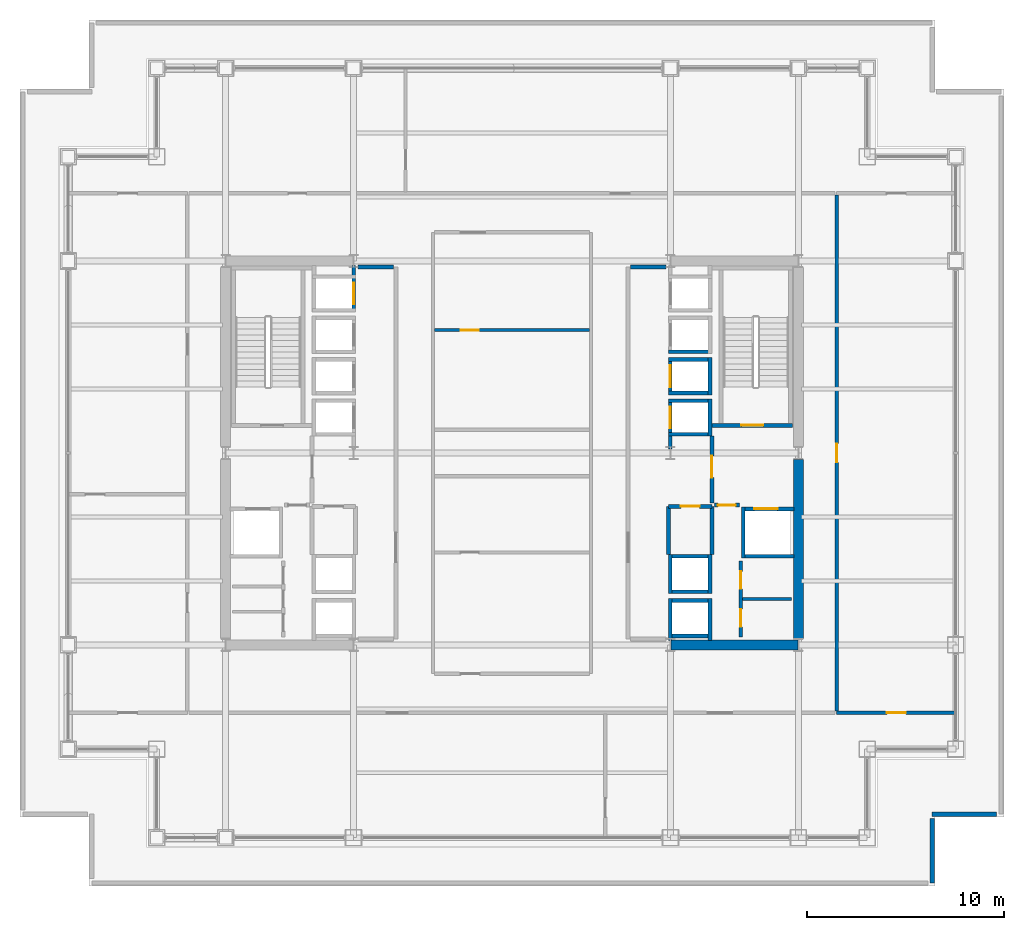
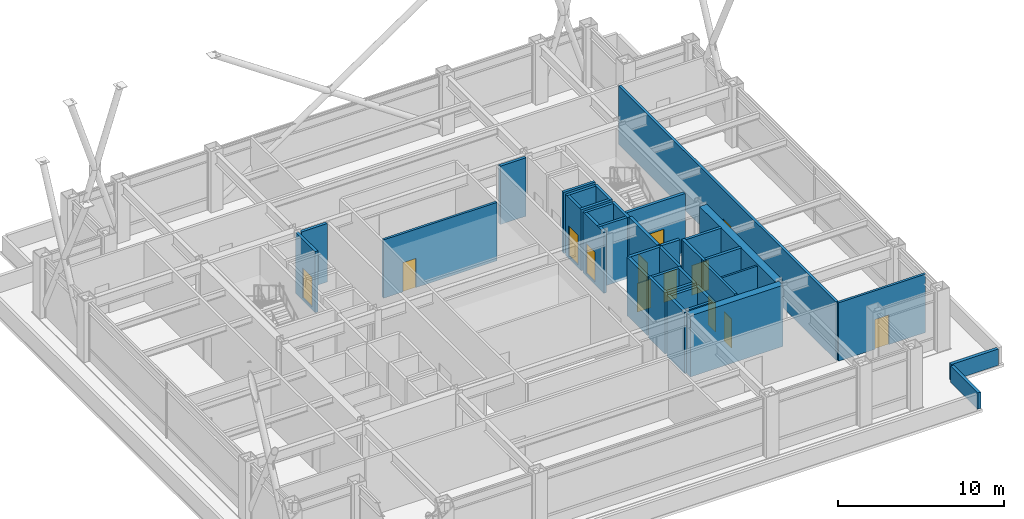
# One storey, part 30 of 32: 38 walls, 13 doors, 13 openings.
"""IFC4 building model written with IfcOpenShell, lengths in metres."""

from ifc_helpers import new_model, si_unit, direction, frame, frame_2d, origin, place, context, subcontext, project, spatial, rectangle, extrude, material, layer, layer_set, type_object, element, fill, save


model = new_model("IFC4")

# Units and contexts
model_context = context("Model", 3, precision=1e-05, world=origin(), true_north=direction((0.0, 1.0)))
body_context = subcontext(model_context, "Body", "Model", "MODEL_VIEW")
ifc_project = project(units=[si_unit("LENGTHUNIT", "METRE"), si_unit("AREAUNIT", "SQUARE_METRE"), si_unit("VOLUMEUNIT", "CUBIC_METRE"), si_unit("PLANEANGLEUNIT", "RADIAN"), si_unit("MASSUNIT", "GRAM", prefix="KILO")], contexts=[model_context])

# Site, building, storey
site_placement = place(None, origin())
site = spatial("IfcSite", under=ifc_project, at=site_placement, CompositionType="ELEMENT")
building_placement = place(site_placement, origin())
building = spatial("IfcBuilding", under=site, at=building_placement, Name="Brelmoor Portico Tower", CompositionType="ELEMENT")
storey_placement = place(building_placement, frame((0.0, 0.0, 87.300048828125)))
storey = spatial("IfcBuildingStorey", under=building, at=storey_placement, Name="L22", CompositionType="ELEMENT", Elevation=87.300048828125)

# Walls
ifc_material_1 = material(Name="Concrete C60", Category="concrete")
ifc_layer_1 = layer(ifc_material_1, 0.5)
ifc_layer_set_1 = layer_set([ifc_layer_1], Name="Concrete C60")
wall_type_1 = type_object("IfcWallType", Name="WL-CORE-500", PredefinedType="SHEAR", material=ifc_layer_set_1)
wall_1_placement = place(storey_placement, frame((8.070068359375, -9.75, -0.199951171875), z_axis=(0.0, 0.0, 1.0), x_axis=(1.0, 0.0, 0.0)))
element("IfcWall", 1, at=wall_1_placement, inside=storey, type_object=wall_type_1, Name="L22 EC South Shear Wall", PredefinedType="SHEAR", context=body_context, shape_type="SweptSolid", body=[
    extrude(rectangle(XDim=6.4599609375, YDim=0.5, at=frame_2d((3.22998046875, 0.0))), origin(), (0.0, 0.0, 1.0), 4.5),
])
wall_2_placement = place(storey_placement, frame((14.550048828125, -9.425048828125, -0.199951171875), z_axis=(0.0, 0.0, 1.0), x_axis=(0.0, 1.0, 0.0)))
element("IfcWall", 2, at=wall_2_placement, inside=storey, type_object=wall_type_1, Name="L22 EC Outer South Shear Wall", PredefinedType="SHEAR", context=body_context, shape_type="SweptSolid", body=[
    extrude(rectangle(XDim=9.10009765625, YDim=0.5, at=frame_2d((4.550048828125, 0.0))), origin(), (0.0, 0.0, 1.0), 4.5),
])
ifc_material_2 = material(Name="Concrete C40 Parapet Upstand", Category="concrete")
ifc_layer_2 = layer(ifc_material_2, 0.219970703125)
ifc_layer_set_2 = layer_set([ifc_layer_2], Name="Concrete C40 Parapet Upstand")
wall_type_2 = type_object("IfcWallType", Name="WL-PARAPET-220", PredefinedType="PARAPET", material=ifc_layer_set_2)
wall_3_placement = place(storey_placement, frame((21.35009765625, -21.85009765625, 0.0), z_axis=(0.0, 0.0, 1.0), x_axis=(0.0, 1.0, 0.0)))
element("IfcWall", 3, at=wall_3_placement, inside=storey, type_object=wall_type_2, Name="L22 Roof Parapet Wall 02", PredefinedType="PARAPET", context=body_context, shape_type="SweptSolid", body=[
    extrude(rectangle(XDim=3.280029296875, YDim=0.219970703125, at=frame_2d((1.64013671875, 0.0))), origin(), (0.0, 0.0, 1.0), 1.199951171875),
])
wall_4_placement = place(storey_placement, frame((21.35009765625, -18.35009765625, 0.0), z_axis=(0.0, 0.0, 1.0), x_axis=(1.0, 0.0, 0.0)))
element("IfcWall", 4, at=wall_4_placement, inside=storey, type_object=wall_type_2, Name="L22 Roof Parapet Wall 03", PredefinedType="PARAPET", context=body_context, shape_type="SweptSolid", body=[
    extrude(rectangle(XDim=3.27978515625, YDim=0.219970703125, at=frame_2d((1.639892578125, 0.0))), origin(), (0.0, 0.0, 1.0), 1.199951171875),
])
ifc_material_3 = material(Name="Insulated Stud Suite Partition", Category="gypsum")
ifc_layer_3 = layer(ifc_material_3, 0.139892578125)
ifc_layer_set_3 = layer_set([ifc_layer_3], Name="Insulated Stud Suite Partition")
wall_type_3 = type_object("IfcWallType", Name="WL-PART-140", PredefinedType="PARTITIONING", material=ifc_layer_set_3)
wall_5_placement = place(storey_placement, frame((11.699951171875, -7.425048828125, 0.0), z_axis=(0.0, 0.0, 1.0), x_axis=(1.0, 0.0, 0.0)))
element("IfcWall", 5, at=wall_5_placement, inside=storey, type_object=wall_type_3, Name="L22 E Core WC Divider 1", PredefinedType="PARTITIONING", context=body_context, shape_type="SweptSolid", body=[
    extrude(rectangle(XDim=2.5, YDim=0.139892578125, at=frame_2d((1.25, 0.0))), origin(), (0.0, 0.0, 1.0), 4.300048828125),
])

# Wall, openings, doors
ifc_material_4 = material(Name="Twin-Frame Acoustic Partition", Category="gypsum")
ifc_layer_4 = layer(ifc_material_4, 0.159912109375)
ifc_layer_set_4 = layer_set([ifc_layer_4], Name="Twin-Frame Acoustic Partition")
wall_type_4 = type_object("IfcWallType", Name="WL-PART-160", PredefinedType="PARTITIONING", material=ifc_layer_set_4)
wall_6_placement = place(storey_placement, frame((11.6201171875, -9.35009765625, 0.0), z_axis=(0.0, 0.0, 1.0), x_axis=(0.0, 1.0, 0.0)))
wall_6 = element("IfcWall", 6, at=wall_6_placement, inside=storey, type_object=wall_type_4, Name="L22 E Core Service Front Wall", PredefinedType="PARTITIONING", context=body_context, shape_type="SweptSolid", body=[
    extrude(rectangle(XDim=3.85009765625, YDim=0.159912109375, at=frame_2d((1.925048828125, 0.0))), origin(), (0.0, 0.0, 1.0), 4.300048828125),
])
opening_1_placement = place(wall_6_placement, frame((0.512451171875, 0.0, 0.0)))
opening_1 = element("IfcOpeningElement", 7, at=opening_1_placement, cuts=wall_6, Name="Opening D-IN1", PredefinedType="OPENING", context=body_context, shape_type="SweptSolid", body=[
    extrude(rectangle(XDim=0.89990234375, YDim=2.14990234375, at=frame_2d((0.449951171875, 1.074951171875))), frame((0.0, 0.08984375, 0.0), z_axis=(0.0, -1.0, 0.0), x_axis=(1.0, 0.0, 0.0)), (0.0, 0.0, 1.0), 0.179931640625),
])
opening_2_placement = place(wall_6_placement, frame((2.4375, 0.0, 0.0)))
opening_2 = element("IfcOpeningElement", 8, at=opening_2_placement, cuts=wall_6, Name="Opening D-IN1", PredefinedType="OPENING", context=body_context, shape_type="SweptSolid", body=[
    extrude(rectangle(XDim=0.89990234375, YDim=2.14990234375, at=frame_2d((0.449951171875, 1.074951171875))), frame((0.0, 0.08984375, 0.0), z_axis=(0.0, -1.0, 0.0), x_axis=(1.0, 0.0, 0.0)), (0.0, 0.0, 1.0), 0.179931640625),
])
ifc_material_5 = material(Name="Lacquered Timber Suite Door", Category="wood")
door_type_1 = type_object("IfcDoorType", Name="DR-INT-900", OperationType="NOTDEFINED", PredefinedType="DOOR", material=ifc_material_5)
door_1_placement = place(opening_1_placement, origin())
door_1 = element("IfcDoor", 9, at=door_1_placement, inside=storey, type_object=door_type_1, Name="D-0977 L22 E Male WC Door", OperationType="SINGLE_SWING_RIGHT", OverallHeight=2.14990234375, OverallWidth=0.89990234375, PredefinedType="DOOR", context=body_context, shape_type="SweptSolid", body=[
    extrude(rectangle(XDim=0.89990234375, YDim=2.14990234375, at=frame_2d((0.449951171875, 1.074951171875))), frame((0.0, 0.02490234375, 0.0), z_axis=(0.0, -1.0, 0.0), x_axis=(1.0, 0.0, 0.0)), (0.0, 0.0, 1.0), 0.050048828125),
])
fill(opening_1, door_1)
door_2_placement = place(opening_2_placement, origin())
door_2 = element("IfcDoor", 10, at=door_2_placement, inside=storey, type_object=door_type_1, Name="D-0978 L22 E Female WC Door", OperationType="SINGLE_SWING_LEFT", OverallHeight=2.14990234375, OverallWidth=0.89990234375, PredefinedType="DOOR", context=body_context, shape_type="SweptSolid", body=[
    extrude(rectangle(XDim=0.89990234375, YDim=2.14990234375, at=frame_2d((0.449951171875, 1.074951171875))), frame((0.0, 0.02490234375, 0.0), z_axis=(0.0, -1.0, 0.0), x_axis=(1.0, 0.0, 0.0)), (0.0, 0.0, 1.0), 0.050048828125),
])
fill(opening_2, door_2)

# Wall, opening, door
wall_7_placement = place(storey_placement, frame((-3.949951171875, 6.239990234375, 0.0), z_axis=(0.0, 0.0, 1.0), x_axis=(1.0, 0.0, 0.0)))
wall_7 = element("IfcWall", 11, at=wall_7_placement, inside=storey, type_object=wall_type_4, Name="L22 Central Archive Divider", PredefinedType="PARTITIONING", context=body_context, shape_type="SweptSolid", body=[
    extrude(rectangle(XDim=7.89990234375, YDim=0.159912109375, at=frame_2d((3.949951171875, 0.0))), origin(), (0.0, 0.0, 1.0), 4.300048828125),
])
opening_3_placement = place(wall_7_placement, frame((1.35009765625, 0.0, 0.0)))
opening_3 = element("IfcOpeningElement", 12, at=opening_3_placement, cuts=wall_7, Name="Opening D-IN1", PredefinedType="OPENING", context=body_context, shape_type="SweptSolid", body=[
    extrude(rectangle(XDim=0.89990234375, YDim=2.14990234375, at=frame_2d((0.449951171875, 1.074951171875))), frame((0.0, 0.08984375, 0.0), z_axis=(0.0, -1.0, 0.0), x_axis=(1.0, 0.0, 0.0)), (0.0, 0.0, 1.0), 0.179931640625),
])
door_3_placement = place(opening_3_placement, origin())
door_3 = element("IfcDoor", 13, at=door_3_placement, inside=storey, type_object=door_type_1, Name="D-0974 L22 Central File Room Door", OperationType="SINGLE_SWING_RIGHT", OverallHeight=2.14990234375, OverallWidth=0.89990234375, PredefinedType="DOOR", context=body_context, shape_type="SweptSolid", body=[
    extrude(rectangle(XDim=0.89990234375, YDim=2.14990234375, at=frame_2d((0.449951171875, 1.074951171875))), frame((0.0, 0.02490234375, 0.0), z_axis=(0.0, -1.0, 0.0), x_axis=(1.0, 0.0, 0.0)), (0.0, 0.0, 1.0), 0.050048828125),
])
fill(opening_3, door_3)

wall_8_placement = place(storey_placement, frame((16.5, -13.199951171875, 0.0), z_axis=(0.0, 0.0, 1.0), x_axis=(1.0, 0.0, 0.0)))
wall_8 = element("IfcWall", 14, at=wall_8_placement, inside=storey, type_object=wall_type_4, Name="L22 South Outer Closure ER", PredefinedType="PARTITIONING", context=body_context, shape_type="SweptSolid", body=[
    extrude(rectangle(XDim=6.06005859375, YDim=0.159912109375, at=frame_2d((3.030029296875, 0.0))), origin(), (0.0, 0.0, 1.0), 4.300048828125),
])
opening_4_placement = place(wall_8_placement, frame((2.550048828125, 0.0, 0.0)))
opening_4 = element("IfcOpeningElement", 15, at=opening_4_placement, cuts=wall_8, Name="Opening D-IN2", PredefinedType="OPENING", context=body_context, shape_type="SweptSolid", body=[
    extrude(rectangle(XDim=0.9599609375, YDim=2.179931640625, at=frame_2d((0.47998046875, 1.08984375))), frame((0.0, 0.08984375, 0.0), z_axis=(0.0, -1.0, 0.0), x_axis=(1.0, 0.0, 0.0)), (0.0, 0.0, 1.0), 0.179931640625),
])
door_type_2 = type_object("IfcDoorType", Name="DR-INT-950", OperationType="NOTDEFINED", PredefinedType="DOOR", material=ifc_material_5)
door_4_placement = place(opening_4_placement, origin())
door_4 = element("IfcDoor", 16, at=door_4_placement, inside=storey, type_object=door_type_2, Name="D-1000 L22 ER South Corner Suite Door", OperationType="SINGLE_SWING_LEFT", OverallHeight=2.179931640625, OverallWidth=0.9599609375, PredefinedType="DOOR", context=body_context, shape_type="SweptSolid", body=[
    extrude(rectangle(XDim=0.9599609375, YDim=2.179931640625, at=frame_2d((0.47998046875, 1.08984375))), frame((0.0, 0.02490234375, 0.0), z_axis=(0.0, -1.0, 0.0), x_axis=(1.0, 0.0, 0.0)), (0.0, 0.0, 1.0), 0.050048828125),
])
fill(opening_4, door_4)

ifc_material_6 = material(Name="Acoustic Corridor Fire Partition", Category="gypsum")
ifc_layer_5 = layer(ifc_material_6, 0.179931640625)
ifc_layer_set_5 = layer_set([ifc_layer_5], Name="Acoustic Corridor Fire Partition")
wall_type_5 = type_object("IfcWallType", Name="WL-PART-180", PredefinedType="PARTITIONING", material=ifc_layer_set_5)
wall_9_placement = place(storey_placement, frame((16.5, -13.1201171875, 0.0), z_axis=(0.0, 0.0, 1.0), x_axis=(0.0, 1.0, 0.0)))
wall_9 = element("IfcWall", 17, at=wall_9_placement, inside=storey, type_object=wall_type_5, Name="L22 E Wing Corridor Wall", PredefinedType="PARTITIONING", context=body_context, shape_type="SweptSolid", body=[
    extrude(rectangle(XDim=26.240234375, YDim=0.179931640625, at=frame_2d((13.1201171875, 0.0))), origin(), (0.0, 0.0, 1.0), 4.300048828125),
])
opening_5_placement = place(wall_9_placement, frame((12.639892578125, 0.0, 0.0)))
opening_5 = element("IfcOpeningElement", 18, at=opening_5_placement, cuts=wall_9, Name="Opening D-IN2", PredefinedType="OPENING", context=body_context, shape_type="SweptSolid", body=[
    extrude(rectangle(XDim=0.9599609375, YDim=2.179931640625, at=frame_2d((0.47998046875, 1.08984375))), frame((0.0, 0.099853515625, 0.0), z_axis=(0.0, -1.0, 0.0), x_axis=(1.0, 0.0, 0.0)), (0.0, 0.0, 1.0), 0.199951171875),
])
door_5_placement = place(opening_5_placement, origin())
door_5 = element("IfcDoor", 19, at=door_5_placement, inside=storey, type_object=door_type_2, Name="D-1002 L22 E Concierge Consultation Suite 1 Door", OperationType="SINGLE_SWING_LEFT", OverallHeight=2.179931640625, OverallWidth=0.9599609375, PredefinedType="DOOR", context=body_context, shape_type="SweptSolid", body=[
    extrude(rectangle(XDim=0.9599609375, YDim=2.179931640625, at=frame_2d((0.47998046875, 1.08984375))), frame((0.0, 0.02490234375, 0.0), z_axis=(0.0, -1.0, 0.0), x_axis=(1.0, 0.0, 0.0)), (0.0, 0.0, 1.0), 0.050048828125),
])
fill(opening_5, door_5)

# Walls
ifc_material_7 = material(Name="Double-Stud Gypsum Fire Partition", Category="gypsum")
ifc_layer_6 = layer(ifc_material_7, 0.199951171875)
ifc_layer_set_6 = layer_set([ifc_layer_6], Name="Double-Stud Gypsum Fire Partition")
wall_type_6 = type_object("IfcWallType", Name="WL-PART-200", PredefinedType="PARTITIONING", material=ifc_layer_set_6)
for number, where, z_axis, x_axis, name in (
    (20, (-6.02001953125, 9.449951171875, 0.0), (0.0, 0.0, 1.0), (-1.0, 0.0, 0.0), "L22 W Lift Lobby North End Wall"),
    (21, (6.02001953125, 9.449951171875, 0.0), (0.0, 0.0, 1.0), (1.0, 0.0, 0.0), "L22 E Lift Lobby North End Wall"),
):
    element("IfcWall", number, at=place(storey_placement, frame(where, z_axis=z_axis, x_axis=x_axis)), inside=storey, type_object=wall_type_6, Name=name, PredefinedType="PARTITIONING", context=body_context, shape_type="SweptSolid", body=[
        extrude(rectangle(XDim=1.800048828125, YDim=0.199951171875, at=frame_2d((0.89990234375, 0.0))), origin(), (0.0, 0.0, 1.0), 4.300048828125),
    ])

# Wall, opening, door
wall_10_placement = place(storey_placement, frame((10.159912109375, -2.550048828125, 0.0), z_axis=(0.0, 0.0, 1.0), x_axis=(0.0, 1.0, 0.0)))
wall_10 = element("IfcWall", 22, at=wall_10_placement, inside=storey, type_object=wall_type_6, Name="L22 E Firefighting Lobby Wall", PredefinedType="PARTITIONING", context=body_context, shape_type="SweptSolid", body=[
    extrude(rectangle(XDim=3.400146484375, YDim=0.199951171875, at=frame_2d((1.7001953125, 0.0))), origin(), (0.0, 0.0, 1.0), 4.300048828125),
])
opening_6_placement = place(wall_10_placement, frame((1.300048828125, 0.0, 0.0)))
opening_6 = element("IfcOpeningElement", 23, at=opening_6_placement, cuts=wall_10, Name="Opening D-FR1", PredefinedType="OPENING", context=body_context, shape_type="SweptSolid", body=[
    extrude(rectangle(XDim=1.10009765625, YDim=2.14990234375, at=frame_2d((0.550048828125, 1.074951171875))), frame((0.0, 0.10986328125, 0.0), z_axis=(0.0, -1.0, 0.0), x_axis=(1.0, 0.0, 0.0)), (0.0, 0.0, 1.0), 0.219970703125),
])
ifc_material_8 = material(Name="Painted Galvanised Steel Fire Door", Category="steel")
door_type_3 = type_object("IfcDoorType", Name="DR-FIRE-1100", OperationType="NOTDEFINED", PredefinedType="DOOR", material=ifc_material_8)
door_6_placement = place(opening_6_placement, origin())
door_6 = element("IfcDoor", 24, at=door_6_placement, inside=storey, type_object=door_type_3, Name="D-0986 L22 E Firefighting Lobby Door", OperationType="SINGLE_SWING_LEFT", OverallHeight=2.14990234375, OverallWidth=1.10009765625, PredefinedType="DOOR", context=body_context, shape_type="SweptSolid", body=[
    extrude(rectangle(XDim=1.10009765625, YDim=2.14990234375, at=frame_2d((0.550048828125, 1.074951171875))), frame((0.0, 0.02490234375, 0.0), z_axis=(0.0, -1.0, 0.0), x_axis=(1.0, 0.0, 0.0)), (0.0, 0.0, 1.0), 0.050048828125),
])
fill(opening_6, door_6)

wall_11_placement = place(storey_placement, frame((10.280029296875, -2.64990234375, 0.0), z_axis=(0.0, 0.0, 1.0), x_axis=(1.0, 0.0, 0.0)))
wall_11 = element("IfcWall", 25, at=wall_11_placement, inside=storey, type_object=wall_type_6, Name="L22 E Firefighting Lobby South Wall", PredefinedType="PARTITIONING", context=body_context, shape_type="SweptSolid", body=[
    extrude(rectangle(XDim=1.27001953125, YDim=0.199951171875, at=frame_2d((0.635009765625, 0.0))), origin(), (0.0, 0.0, 1.0), 4.300048828125),
])
opening_7_placement = place(wall_11_placement, frame((0.18505859375, 0.0, 0.0)))
opening_7 = element("IfcOpeningElement", 26, at=opening_7_placement, cuts=wall_11, Name="Opening D-IN1", PredefinedType="OPENING", context=body_context, shape_type="SweptSolid", body=[
    extrude(rectangle(XDim=0.89990234375, YDim=2.14990234375, at=frame_2d((0.449951171875, 1.074951171875))), frame((0.0, 0.10986328125, 0.0), z_axis=(0.0, -1.0, 0.0), x_axis=(1.0, 0.0, 0.0)), (0.0, 0.0, 1.0), 0.219970703125),
])
door_7_placement = place(opening_7_placement, origin())
door_7 = element("IfcDoor", 27, at=door_7_placement, inside=storey, type_object=door_type_1, Name="D-0979 L22 E Core Service Vestibule Door", OperationType="SINGLE_SWING_RIGHT", OverallHeight=2.14990234375, OverallWidth=0.89990234375, PredefinedType="DOOR", context=body_context, shape_type="SweptSolid", body=[
    extrude(rectangle(XDim=0.89990234375, YDim=2.14990234375, at=frame_2d((0.449951171875, 1.074951171875))), frame((0.0, 0.02490234375, 0.0), z_axis=(0.0, -1.0, 0.0), x_axis=(1.0, 0.0, 0.0)), (0.0, 0.0, 1.0), 0.050048828125),
])
fill(opening_7, door_7)

wall_12_placement = place(storey_placement, frame((7.9599609375, -2.719970703125, 0.0), z_axis=(0.0, 0.0, 1.0), x_axis=(1.0, 0.0, 0.0)))
wall_12 = element("IfcWall", 28, at=wall_12_placement, inside=storey, type_object=wall_type_6, Name="L22 E Electrical Switchgear Closet Wall", PredefinedType="PARTITIONING", context=body_context, shape_type="SweptSolid", body=[
    extrude(rectangle(XDim=2.199951171875, YDim=0.199951171875, at=frame_2d((1.10009765625, 0.0))), origin(), (0.0, 0.0, 1.0), 4.300048828125),
])
opening_8_placement = place(wall_12_placement, frame((0.6201171875, 0.0, 0.0)))
opening_8 = element("IfcOpeningElement", 29, at=opening_8_placement, cuts=wall_12, Name="Opening D-FR4", PredefinedType="OPENING", context=body_context, shape_type="SweptSolid", body=[
    extrude(rectangle(XDim=0.949951171875, YDim=2.10009765625, at=frame_2d((0.47509765625, 1.050048828125))), frame((0.0, 0.10986328125, 0.0), z_axis=(0.0, -1.0, 0.0), x_axis=(1.0, 0.0, 0.0)), (0.0, 0.0, 1.0), 0.219970703125),
])
ifc_material_9 = material(Name="Painted Galvanised Steel Riser Door", Category="steel")
door_type_4 = type_object("IfcDoorType", Name="DR-FIRE-950", OperationType="NOTDEFINED", PredefinedType="DOOR", material=ifc_material_9)
door_8_placement = place(opening_8_placement, origin())
door_8 = element("IfcDoor", 30, at=door_8_placement, inside=storey, type_object=door_type_4, Name="D-0984 L22 E Electrical Switchgear Closet Door", OperationType="SINGLE_SWING_LEFT", OverallHeight=2.10009765625, OverallWidth=0.949951171875, PredefinedType="DOOR", context=body_context, shape_type="SweptSolid", body=[
    extrude(rectangle(XDim=0.949951171875, YDim=2.10009765625, at=frame_2d((0.47509765625, 1.050048828125))), frame((0.0, 0.02490234375, 0.0), z_axis=(0.0, -1.0, 0.0), x_axis=(1.0, 0.0, 0.0)), (0.0, 0.0, 1.0), 0.050048828125),
])
fill(opening_8, door_8)

# Walls
for number, where, z_axis, x_axis, name in (
    (31, (7.9599609375, -5.159912109375, 0.0), (0.0, 0.0, 1.0), (0.0, 1.0, 0.0), "L22 E Electrical Switchgear Closet Inner Wall"),
    (32, (10.159912109375, -5.159912109375, 0.0), (0.0, 0.0, 1.0), (0.0, 1.0, 0.0), "L22 E Electrical Switchgear Closet Outer Wall"),
):
    element("IfcWall", number, at=place(storey_placement, frame(where, z_axis=z_axis, x_axis=x_axis)), inside=storey, type_object=wall_type_6, Name=name, PredefinedType="PARTITIONING", context=body_context, shape_type="SweptSolid", body=[
        extrude(rectangle(XDim=2.43994140625, YDim=0.199951171875, at=frame_2d((1.219970703125, 0.0))), origin(), (0.0, 0.0, 1.0), 4.300048828125),
    ])

# Wall, opening, door
ifc_material_10 = material(Name="Precast Concrete C40", Category="concrete")
ifc_layer_7 = layer(ifc_material_10, 0.18994140625)
ifc_layer_set_7 = layer_set([ifc_layer_7], Name="Precast Concrete C40")
wall_type_7 = type_object("IfcWallType", Name="WL-SHAFT-180", PredefinedType="SOLIDWALL", material=ifc_layer_set_7)
wall_13_placement = place(storey_placement, frame((-8.044921875, 7.14990234375, -0.199951171875), z_axis=(0.0, 0.0, 1.0), x_axis=(0.0, 1.0, 0.0)))
wall_13 = element("IfcWall", 33, at=wall_13_placement, inside=storey, type_object=wall_type_7, Name="L22 Lift PL4 Hoistway Front Wall", PredefinedType="SOLIDWALL", context=body_context, shape_type="SweptSolid", body=[
    extrude(rectangle(XDim=2.3701171875, YDim=0.18994140625, at=frame_2d((1.18505859375, 0.0))), origin(), (0.0, 0.0, 1.0), 4.5),
])
opening_9_placement = place(wall_13_placement, frame((0.39990234375, 0.0, 0.199951171875)))
opening_9 = element("IfcOpeningElement", 34, at=opening_9_placement, cuts=wall_13, Name="Opening LD-01", PredefinedType="OPENING", context=body_context, shape_type="SweptSolid", body=[
    extrude(rectangle(XDim=1.10009765625, YDim=2.199951171875, at=frame_2d((0.550048828125, 1.10009765625))), frame((0.0, 0.10498046875, 0.0), z_axis=(0.0, -1.0, 0.0), x_axis=(1.0, 0.0, 0.0)), (0.0, 0.0, 1.0), 0.2099609375),
])
ifc_material_11 = material(Name="Brushed Stainless Steel Sliding Lift Door", Category="steel")
door_type_5 = type_object("IfcDoorType", Name="DR-LIFT-1100", OperationType="NOTDEFINED", PredefinedType="DOOR", material=ifc_material_11)
door_9_placement = place(opening_9_placement, origin())
door_9 = element("IfcDoor", 35, at=door_9_placement, inside=storey, type_object=door_type_5, Name="D-1011 L22 Lift PL4 Sliding Landing Door", OperationType="SLIDING_TO_LEFT", OverallHeight=2.199951171875, OverallWidth=1.10009765625, PredefinedType="DOOR", context=body_context, shape_type="SweptSolid", body=[
    extrude(rectangle(XDim=1.10009765625, YDim=2.199951171875, at=frame_2d((0.550048828125, 1.10009765625))), frame((0.0, 0.02490234375, 0.0), z_axis=(0.0, -1.0, 0.0), x_axis=(1.0, 0.0, 0.0)), (0.0, 0.0, 1.0), 0.050048828125),
])
fill(opening_9, door_9)

wall_14_placement = place(storey_placement, frame((8.044921875, 0.2099609375, -0.199951171875), z_axis=(0.0, 0.0, 1.0), x_axis=(0.0, 1.0, 0.0)))
wall_14 = element("IfcWall", 36, at=wall_14_placement, inside=storey, type_object=wall_type_7, Name="L22 Lift PM1 Hoistway Front Wall", PredefinedType="SOLIDWALL", context=body_context, shape_type="SweptSolid", body=[
    extrude(rectangle(XDim=2.5400390625, YDim=0.18994140625, at=frame_2d((1.27001953125, 0.0))), origin(), (0.0, 0.0, 1.0), 4.5),
])
opening_10_placement = place(wall_14_placement, frame((1.0400390625, 0.0, 0.199951171875)))
opening_10 = element("IfcOpeningElement", 37, at=opening_10_placement, cuts=wall_14, Name="Opening LD-01", PredefinedType="OPENING", context=body_context, shape_type="SweptSolid", body=[
    extrude(rectangle(XDim=1.10009765625, YDim=2.199951171875, at=frame_2d((0.550048828125, 1.10009765625))), frame((0.0, 0.10498046875, 0.0), z_axis=(0.0, -1.0, 0.0), x_axis=(1.0, 0.0, 0.0)), (0.0, 0.0, 1.0), 0.2099609375),
])
door_10_placement = place(opening_10_placement, origin())
door_10 = element("IfcDoor", 38, at=door_10_placement, inside=storey, type_object=door_type_5, Name="D-1012 L22 Lift PM1 Sliding Landing Door", OperationType="SLIDING_TO_LEFT", OverallHeight=2.199951171875, OverallWidth=1.10009765625, PredefinedType="DOOR", context=body_context, shape_type="SweptSolid", body=[
    extrude(rectangle(XDim=1.10009765625, YDim=2.199951171875, at=frame_2d((0.550048828125, 1.10009765625))), frame((0.0, 0.02490234375, 0.0), z_axis=(0.0, -1.0, 0.0), x_axis=(1.0, 0.0, 0.0)), (0.0, 0.0, 1.0), 0.050048828125),
])
fill(opening_10, door_10)

# Walls
wall_15_placement = place(storey_placement, frame((10.054931640625, 0.85009765625, -0.199951171875), z_axis=(0.0, 0.0, 1.0), x_axis=(0.0, 1.0, 0.0)))
element("IfcWall", 39, at=wall_15_placement, inside=storey, type_object=wall_type_7, Name="L22 Lift PM1 Hoistway Back Wall", PredefinedType="SOLIDWALL", context=body_context, shape_type="SweptSolid", body=[
    extrude(rectangle(XDim=1.89990234375, YDim=0.18994140625, at=frame_2d((0.949951171875, 0.0))), origin(), (0.0, 0.0, 1.0), 4.5),
])
for number, where, z_axis, x_axis, name in (
    (40, (7.949951171875, 2.655029296875, -0.199951171875), (0.0, 0.0, 1.0), (1.0, 0.0, 0.0), "L22 Lift PM1 Hoistway North Wall"),
    (41, (7.949951171875, 0.945068359375, -0.199951171875), (0.0, 0.0, 1.0), (1.0, 0.0, 0.0), "L22 Lift PM1 Hoistway South Wall"),
):
    element("IfcWall", number, at=place(storey_placement, frame(where, z_axis=z_axis, x_axis=x_axis)), inside=storey, type_object=wall_type_7, Name=name, PredefinedType="SOLIDWALL", context=body_context, shape_type="SweptSolid", body=[
        extrude(rectangle(XDim=2.199951171875, YDim=0.18994140625, at=frame_2d((1.10009765625, 0.0))), origin(), (0.0, 0.0, 1.0), 4.5),
    ])

# Wall, opening, door
wall_16_placement = place(storey_placement, frame((8.044921875, 2.949951171875, -0.199951171875), z_axis=(0.0, 0.0, 1.0), x_axis=(0.0, 1.0, 0.0)))
wall_16 = element("IfcWall", 42, at=wall_16_placement, inside=storey, type_object=wall_type_7, Name="L22 Lift PM2 Hoistway Front Wall", PredefinedType="SOLIDWALL", context=body_context, shape_type="SweptSolid", body=[
    extrude(rectangle(XDim=1.900146484375, YDim=0.18994140625, at=frame_2d((0.9501953125, 0.0))), origin(), (0.0, 0.0, 1.0), 4.5),
])
opening_11_placement = place(wall_16_placement, frame((0.39990234375, 0.0, 0.199951171875)))
opening_11 = element("IfcOpeningElement", 43, at=opening_11_placement, cuts=wall_16, Name="Opening LD-01", PredefinedType="OPENING", context=body_context, shape_type="SweptSolid", body=[
    extrude(rectangle(XDim=1.10009765625, YDim=2.199951171875, at=frame_2d((0.550048828125, 1.10009765625))), frame((0.0, 0.10498046875, 0.0), z_axis=(0.0, -1.0, 0.0), x_axis=(1.0, 0.0, 0.0)), (0.0, 0.0, 1.0), 0.2099609375),
])
door_11_placement = place(opening_11_placement, origin())
door_11 = element("IfcDoor", 44, at=door_11_placement, inside=storey, type_object=door_type_5, Name="D-1013 L22 Lift PM2 Sliding Landing Door", OperationType="SLIDING_TO_LEFT", OverallHeight=2.199951171875, OverallWidth=1.10009765625, PredefinedType="DOOR", context=body_context, shape_type="SweptSolid", body=[
    extrude(rectangle(XDim=1.10009765625, YDim=2.199951171875, at=frame_2d((0.550048828125, 1.10009765625))), frame((0.0, 0.02490234375, 0.0), z_axis=(0.0, -1.0, 0.0), x_axis=(1.0, 0.0, 0.0)), (0.0, 0.0, 1.0), 0.050048828125),
])
fill(opening_11, door_11)

# Walls
wall_17_placement = place(storey_placement, frame((10.054931640625, 2.949951171875, -0.199951171875), z_axis=(0.0, 0.0, 1.0), x_axis=(0.0, 1.0, 0.0)))
element("IfcWall", 45, at=wall_17_placement, inside=storey, type_object=wall_type_7, Name="L22 Lift PM2 Hoistway Back Wall", PredefinedType="SOLIDWALL", context=body_context, shape_type="SweptSolid", body=[
    extrude(rectangle(XDim=1.900146484375, YDim=0.18994140625, at=frame_2d((0.9501953125, 0.0))), origin(), (0.0, 0.0, 1.0), 4.5),
])
for number, where, z_axis, x_axis, name in (
    (46, (7.949951171875, 4.7548828125, -0.199951171875), (0.0, 0.0, 1.0), (1.0, 0.0, 0.0), "L22 Lift PM2 Hoistway North Wall"),
    (47, (7.949951171875, 3.044921875, -0.199951171875), (0.0, 0.0, 1.0), (1.0, 0.0, 0.0), "L22 Lift PM2 Hoistway South Wall"),
    (48, (7.949951171875, 5.14501953125, -0.199951171875), (0.0, 0.0, 1.0), (1.0, 0.0, 0.0), "L22 Lift PM3 Hoistway South Wall"),
):
    element("IfcWall", number, at=place(storey_placement, frame(where, z_axis=z_axis, x_axis=x_axis)), inside=storey, type_object=wall_type_7, Name=name, PredefinedType="SOLIDWALL", context=body_context, shape_type="SweptSolid", body=[
        extrude(rectangle(XDim=2.199951171875, YDim=0.18994140625, at=frame_2d((1.10009765625, 0.0))), origin(), (0.0, 0.0, 1.0), 4.5),
    ])
for number, where, z_axis, x_axis, name in (
    (49, (8.044921875, -9.52001953125, -0.199951171875), (0.0, 0.0, 1.0), (0.0, 1.0, 0.0), "L22 Lift PH3 Hoistway Front Wall"),
    (50, (10.054931640625, -9.52001953125, -0.199951171875), (0.0, 0.0, 1.0), (0.0, 1.0, 0.0), "L22 Lift PH3 Hoistway Back Wall"),
):
    element("IfcWall", number, at=place(storey_placement, frame(where, z_axis=z_axis, x_axis=x_axis)), inside=storey, type_object=wall_type_7, Name=name, PredefinedType="SOLIDWALL", context=body_context, shape_type="SweptSolid", body=[
        extrude(rectangle(XDim=2.1201171875, YDim=0.18994140625, at=frame_2d((1.06005859375, 0.0))), origin(), (0.0, 0.0, 1.0), 4.5),
    ])
for number, where, z_axis, x_axis, name in (
    (51, (7.949951171875, -7.4951171875, -0.199951171875), (0.0, 0.0, 1.0), (1.0, 0.0, 0.0), "L22 Lift PH3 Hoistway North Wall"),
    (52, (7.949951171875, -9.304931640625, -0.199951171875), (0.0, 0.0, 1.0), (1.0, 0.0, 0.0), "L22 Lift PH3 Hoistway South Wall"),
):
    element("IfcWall", number, at=place(storey_placement, frame(where, z_axis=z_axis, x_axis=x_axis)), inside=storey, type_object=wall_type_7, Name=name, PredefinedType="SOLIDWALL", context=body_context, shape_type="SweptSolid", body=[
        extrude(rectangle(XDim=2.199951171875, YDim=0.18994140625, at=frame_2d((1.10009765625, 0.0))), origin(), (0.0, 0.0, 1.0), 4.5),
    ])
for number, where, z_axis, x_axis, name in (
    (53, (8.044921875, -7.14990234375, -0.199951171875), (0.0, 0.0, 1.0), (0.0, 1.0, 0.0), "L22 Lift PH4 Hoistway Front Wall"),
    (54, (10.054931640625, -7.14990234375, -0.199951171875), (0.0, 0.0, 1.0), (0.0, 1.0, 0.0), "L22 Lift PH4 Hoistway Back Wall"),
):
    element("IfcWall", number, at=place(storey_placement, frame(where, z_axis=z_axis, x_axis=x_axis)), inside=storey, type_object=wall_type_7, Name=name, PredefinedType="SOLIDWALL", context=body_context, shape_type="SweptSolid", body=[
        extrude(rectangle(XDim=2.0, YDim=0.18994140625, at=frame_2d((1.0, 0.0))), origin(), (0.0, 0.0, 1.0), 4.5),
    ])
for number, where, z_axis, x_axis, name in (
    (55, (7.949951171875, -5.2451171875, -0.199951171875), (0.0, 0.0, 1.0), (1.0, 0.0, 0.0), "L22 Lift PH4 Hoistway North Wall"),
    (56, (7.949951171875, -7.054931640625, -0.199951171875), (0.0, 0.0, 1.0), (1.0, 0.0, 0.0), "L22 Lift PH4 Hoistway South Wall"),
):
    element("IfcWall", number, at=place(storey_placement, frame(where, z_axis=z_axis, x_axis=x_axis)), inside=storey, type_object=wall_type_7, Name=name, PredefinedType="SOLIDWALL", context=body_context, shape_type="SweptSolid", body=[
        extrude(rectangle(XDim=2.199951171875, YDim=0.18994140625, at=frame_2d((1.10009765625, 0.0))), origin(), (0.0, 0.0, 1.0), 4.5),
    ])

# Wall, opening, door
wall_18_placement = place(storey_placement, frame((11.64990234375, -2.844970703125, -0.199951171875), z_axis=(0.0, 0.0, 1.0), x_axis=(1.0, 0.0, 0.0)))
wall_18 = element("IfcWall", 57, at=wall_18_placement, inside=storey, type_object=wall_type_7, Name="L22 Lift FF2 Hoistway Front Wall", PredefinedType="SOLIDWALL", context=body_context, shape_type="SweptSolid", body=[
    extrude(rectangle(XDim=2.68017578125, YDim=0.18994140625, at=frame_2d((1.340087890625, 0.0))), origin(), (0.0, 0.0, 1.0), 4.5),
])
opening_12_placement = place(wall_18_placement, frame((0.64990234375, 0.0, 0.199951171875)))
opening_12 = element("IfcOpeningElement", 58, at=opening_12_placement, cuts=wall_18, Name="Opening LD-02", PredefinedType="OPENING", context=body_context, shape_type="SweptSolid", body=[
    extrude(rectangle(XDim=1.199951171875, YDim=2.199951171875, at=frame_2d((0.60009765625, 1.10009765625))), frame((0.0, 0.10498046875, 0.0), z_axis=(0.0, -1.0, 0.0), x_axis=(1.0, 0.0, 0.0)), (0.0, 0.0, 1.0), 0.2099609375),
])
ifc_material_12 = material(Name="Brushed Stainless Steel Firefighting Lift Door", Category="steel")
door_type_6 = type_object("IfcDoorType", Name="DR-LIFT-1200", OperationType="NOTDEFINED", PredefinedType="DOOR", material=ifc_material_12)
door_12_placement = place(opening_12_placement, origin())
door_12 = element("IfcDoor", 59, at=door_12_placement, inside=storey, type_object=door_type_6, Name="D-1007 L22 Lift FF2 Sliding Landing Door", OperationType="SLIDING_TO_LEFT", OverallHeight=2.199951171875, OverallWidth=1.199951171875, PredefinedType="DOOR", context=body_context, shape_type="SweptSolid", body=[
    extrude(rectangle(XDim=1.199951171875, YDim=2.199951171875, at=frame_2d((0.60009765625, 1.10009765625))), frame((0.0, 0.02490234375, 0.0), z_axis=(0.0, -1.0, 0.0), x_axis=(1.0, 0.0, 0.0)), (0.0, 0.0, 1.0), 0.050048828125),
])
fill(opening_12, door_12)

# Walls
wall_19_placement = place(storey_placement, frame((11.64990234375, -5.2548828125, -0.199951171875), z_axis=(0.0, 0.0, 1.0), x_axis=(1.0, 0.0, 0.0)))
element("IfcWall", 60, at=wall_19_placement, inside=storey, type_object=wall_type_7, Name="L22 Firefighting Lift FF2 South Wall", PredefinedType="SOLIDWALL", context=body_context, shape_type="SweptSolid", body=[
    extrude(rectangle(XDim=2.68017578125, YDim=0.18994140625, at=frame_2d((1.340087890625, 0.0))), origin(), (0.0, 0.0, 1.0), 4.5),
])
wall_20_placement = place(storey_placement, frame((11.7451171875, -5.35009765625, -0.199951171875), z_axis=(0.0, 0.0, 1.0), x_axis=(0.0, 1.0, 0.0)))
element("IfcWall", 61, at=wall_20_placement, inside=storey, type_object=wall_type_7, Name="L22 Firefighting Lift FF2 Inner Wall", PredefinedType="SOLIDWALL", context=body_context, shape_type="SweptSolid", body=[
    extrude(rectangle(XDim=2.60009765625, YDim=0.18994140625, at=frame_2d((1.300048828125, 0.0))), origin(), (0.0, 0.0, 1.0), 4.5),
])

# Wall, opening, door
ifc_material_13 = material(Name="Concrete C40", Category="concrete")
ifc_layer_8 = layer(ifc_material_13, 0.199951171875)
ifc_layer_set_8 = layer_set([ifc_layer_8], Name="Concrete C40")
wall_type_8 = type_object("IfcWallType", Name="WL-SHAFT-RC200", PredefinedType="SOLIDWALL", material=ifc_layer_set_8)
wall_21_placement = place(storey_placement, frame((10.14990234375, 1.39990234375, -0.199951171875), z_axis=(0.0, 0.0, 1.0), x_axis=(1.0, 0.0, 0.0)))
wall_21 = element("IfcWall", 62, at=wall_21_placement, inside=storey, type_object=wall_type_8, Name="L22 ST-E Structural Stair Wall S", PredefinedType="SOLIDWALL", context=body_context, shape_type="SweptSolid", body=[
    extrude(rectangle(XDim=4.10009765625, YDim=0.199951171875, at=frame_2d((2.050048828125, 0.0))), origin(), (0.0, 0.0, 1.0), 4.5),
])
opening_13_placement = place(wall_21_placement, frame((1.5, 0.0, 0.199951171875)))
opening_13 = element("IfcOpeningElement", 63, at=opening_13_placement, cuts=wall_21, Name="Opening D-ST1", PredefinedType="OPENING", context=body_context, shape_type="SweptSolid", body=[
    extrude(rectangle(XDim=1.1201171875, YDim=2.179931640625, at=frame_2d((0.56005859375, 1.08984375))), frame((0.0, 0.10986328125, 0.0), z_axis=(0.0, -1.0, 0.0), x_axis=(1.0, 0.0, 0.0)), (0.0, 0.0, 1.0), 0.219970703125),
])
door_type_7 = type_object("IfcDoorType", Name="DR-STAIR-1100", OperationType="NOTDEFINED", PredefinedType="DOOR", material=ifc_material_8)
door_13_placement = place(opening_13_placement, origin())
door_13 = element("IfcDoor", 64, at=door_13_placement, inside=storey, type_object=door_type_7, Name="D-0998 L22 ST-E Protected Exit Stair Door", OperationType="SINGLE_SWING_RIGHT", OverallHeight=2.179931640625, OverallWidth=1.1201171875, PredefinedType="DOOR", context=body_context, shape_type="SweptSolid", body=[
    extrude(rectangle(XDim=1.1201171875, YDim=2.179931640625, at=frame_2d((0.56005859375, 1.08984375))), frame((0.0, 0.02490234375, 0.0), z_axis=(0.0, -1.0, 0.0), x_axis=(1.0, 0.0, 0.0)), (0.0, 0.0, 1.0), 0.050048828125),
])
fill(opening_13, door_13)

save(model, "model.ifc")
